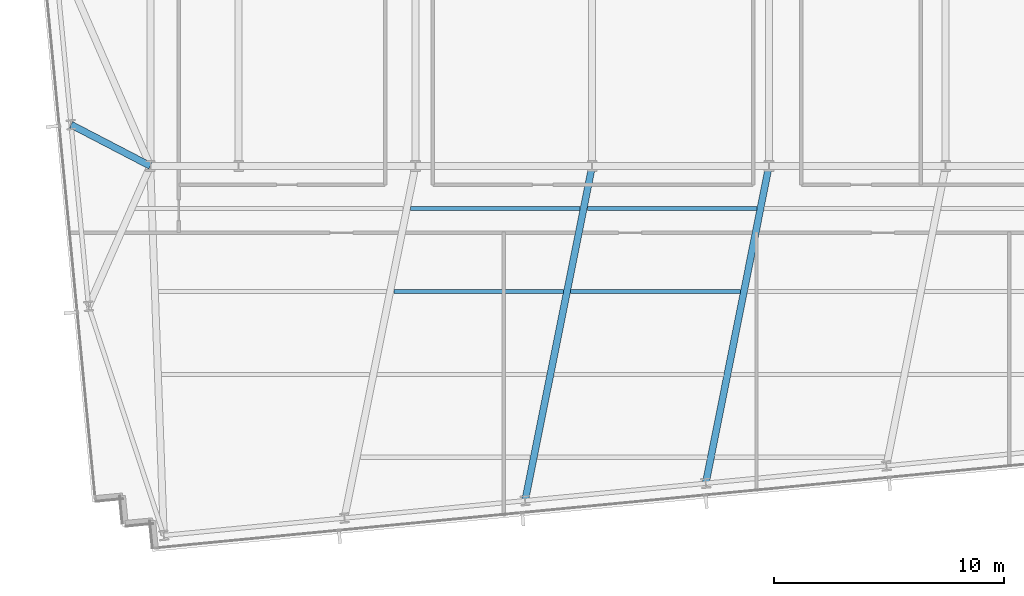
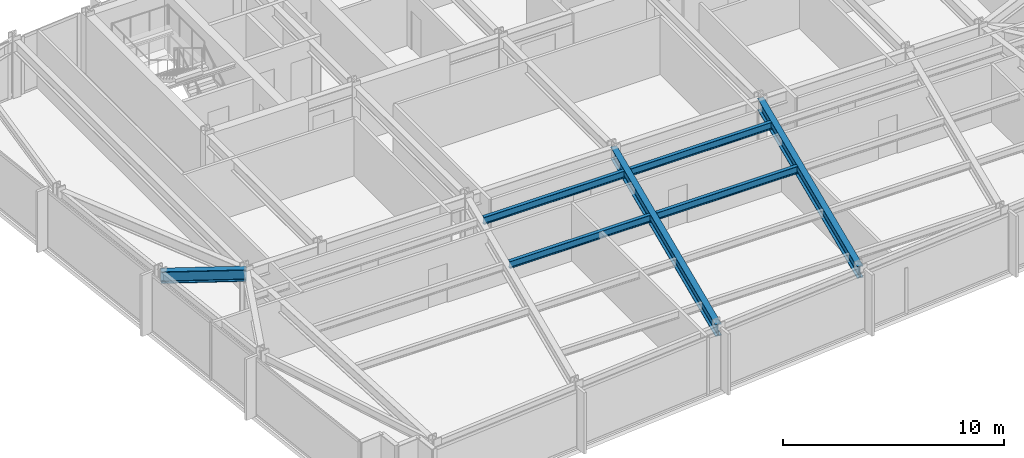
# One storey, part 5 of 32: 7 beams.
"""IFC4 building model written with IfcOpenShell, lengths in metres."""

from ifc_helpers import new_model, si_unit, direction, frame, origin, origin_2d, place, context, subcontext, project, spatial, i_section, extrude, material, material_profile, profile_set, type_object, element, save


model = new_model("IFC4")

# Units and contexts
model_context = context("Model", 3, precision=1e-05, world=origin(), true_north=direction((0.0, 1.0)))
body_context = subcontext(model_context, "Body", "Model", "MODEL_VIEW")
ifc_project = project(units=[si_unit("LENGTHUNIT", "METRE"), si_unit("AREAUNIT", "SQUARE_METRE"), si_unit("VOLUMEUNIT", "CUBIC_METRE"), si_unit("PLANEANGLEUNIT", "RADIAN"), si_unit("MASSUNIT", "GRAM", prefix="KILO")], contexts=[model_context])

# Site, building, storey
site_placement = place(None, origin())
site = spatial("IfcSite", under=ifc_project, at=site_placement, CompositionType="ELEMENT")
building_placement = place(site_placement, origin())
building = spatial("IfcBuilding", under=site, at=building_placement, Name="Yelkora Congress Tower", CompositionType="ELEMENT")
storey_placement = place(building_placement, frame((0.0, 0.0, 103.300048828125)))
storey = spatial("IfcBuildingStorey", under=building, at=storey_placement, Name="L27", CompositionType="ELEMENT", Elevation=103.300048828125)

# Beams
ifc_material = material(Name="Steel S355J2", Category="steel")
ifc_material_profile_1 = material_profile(ifc_material, i_section(OverallWidth=0.300048828125, OverallDepth=0.64990234375, WebThickness=0.01611328125, FlangeThickness=0.031005859375, FilletRadius=0.027099609375, at=origin_2d()), Name="HEB 650")
ifc_profile_set_1 = profile_set([ifc_material_profile_1], Name="Steel S355J2")
beam_type_1 = type_object("IfcBeamType", Name="BM-GIRD-HEB650", PredefinedType="BEAM", material=ifc_profile_set_1)
beam_1_placement = place(storey_placement, frame((35.48486328125, 10.656005859375, 2.85498046875), z_axis=(0.196521264673, 0.980499562739, 0.0), x_axis=(-0.980499562739, 0.196521264673, 0.0)))
element("IfcBeam", 1, at=beam_1_placement, inside=storey, type_object=beam_type_1, Name="L27 Primary Frame Girder S03", PredefinedType="BEAM", context=body_context, shape_type="SweptSolid", body=[
    extrude(i_section(OverallWidth=0.300048828125, OverallDepth=0.64990234375, WebThickness=0.01611328125, FlangeThickness=0.031005859375, FilletRadius=0.027099609375, at=origin_2d()), origin(), (0.0, 0.0, 1.0), 14.833251953125),
])
beam_2_placement = place(storey_placement, frame((43.334228515625, 11.411865234375, 2.85498046875), z_axis=(0.195311238928, 0.980741311432, 0.0), x_axis=(-0.980741311432, 0.195311238928, 0.0)))
element("IfcBeam", 2, at=beam_2_placement, inside=storey, type_object=beam_type_1, Name="L27 Primary Frame Girder S04", PredefinedType="BEAM", context=body_context, shape_type="SweptSolid", body=[
    extrude(i_section(OverallWidth=0.300048828125, OverallDepth=0.64990234375, WebThickness=0.01611328125, FlangeThickness=0.031005859375, FilletRadius=0.027099609375, at=origin_2d()), origin(), (0.0, 0.0, 1.0), 14.058837890625),
])
beam_3_placement = place(storey_placement, frame((15.757080078125, 26.990478515625, 2.85498046875), z_axis=(0.887192078676, -0.461400276912, 0.0), x_axis=(0.461400276912, 0.887192078676, 0.0)))
element("IfcBeam", 3, at=beam_3_placement, inside=storey, type_object=beam_type_1, Name="L27 Primary Frame Girder W02", PredefinedType="BEAM", context=body_context, shape_type="SweptSolid", body=[
    extrude(i_section(OverallWidth=0.300048828125, OverallDepth=0.64990234375, WebThickness=0.01611328125, FlangeThickness=0.031005859375, FilletRadius=0.027099609375, at=origin_2d()), origin(), (0.0, 0.0, 1.0), 3.880615234375),
])
ifc_material_profile_2 = material_profile(ifc_material, i_section(OverallWidth=0.179931640625, OverallDepth=0.39990234375, WebThickness=0.008544921875, FlangeThickness=0.013427734375, FilletRadius=0.02099609375, at=origin_2d()), Name="IPE 400")
ifc_profile_set_2 = profile_set([ifc_material_profile_2], Name="Steel S355J2")
beam_type_2 = type_object("IfcBeamType", Name="BM-JOIST-IPE400", PredefinedType="JOIST", material=ifc_profile_set_2)
beam_4_placement = place(storey_placement, frame((29.780029296875, 19.744384765625, 2.97998046875), z_axis=(1.0, 0.0, 0.0), x_axis=(0.0, 1.0, 0.0)))
element("IfcBeam", 4, at=beam_4_placement, inside=storey, type_object=beam_type_2, Name="L27 Composite Floor Joist 12", PredefinedType="JOIST", context=body_context, shape_type="SweptSolid", body=[
    extrude(i_section(OverallWidth=0.179931640625, OverallDepth=0.39990234375, WebThickness=0.008544921875, FlangeThickness=0.013427734375, FilletRadius=0.02099609375, at=origin_2d()), origin(), (0.0, 0.0, 1.0), 7.366455078125),
])
beam_5_placement = place(storey_placement, frame((37.466552734375, 19.744384765625, 2.97998046875), z_axis=(1.0, 0.0, 0.0), x_axis=(0.0, 1.0, 0.0)))
element("IfcBeam", 5, at=beam_5_placement, inside=storey, type_object=beam_type_2, Name="L27 Composite Floor Joist 13", PredefinedType="JOIST", context=body_context, shape_type="SweptSolid", body=[
    extrude(i_section(OverallWidth=0.179931640625, OverallDepth=0.39990234375, WebThickness=0.008544921875, FlangeThickness=0.013427734375, FilletRadius=0.02099609375, at=origin_2d()), origin(), (0.0, 0.0, 1.0), 7.366943359375),
])
beam_6_placement = place(storey_placement, frame((30.505859375, 23.344482421875, 2.97998046875), z_axis=(1.0, 0.0, 0.0), x_axis=(0.0, 1.0, 0.0)))
element("IfcBeam", 6, at=beam_6_placement, inside=storey, type_object=beam_type_2, Name="L27 Composite Floor Joist 19", PredefinedType="JOIST", context=body_context, shape_type="SweptSolid", body=[
    extrude(i_section(OverallWidth=0.179931640625, OverallDepth=0.39990234375, WebThickness=0.008544921875, FlangeThickness=0.013427734375, FilletRadius=0.02099609375, at=origin_2d()), origin(), (0.0, 0.0, 1.0), 7.3623046875),
])
beam_7_placement = place(storey_placement, frame((38.18798828125, 23.344482421875, 2.97998046875), z_axis=(1.0, 0.0, 0.0), x_axis=(0.0, 1.0, 0.0)))
element("IfcBeam", 7, at=beam_7_placement, inside=storey, type_object=beam_type_2, Name="L27 Composite Floor Joist 20", PredefinedType="JOIST", context=body_context, shape_type="SweptSolid", body=[
    extrude(i_section(OverallWidth=0.179931640625, OverallDepth=0.39990234375, WebThickness=0.008544921875, FlangeThickness=0.013427734375, FilletRadius=0.02099609375, at=origin_2d()), origin(), (0.0, 0.0, 1.0), 7.362548828125),
])

save(model, "model.ifc")
